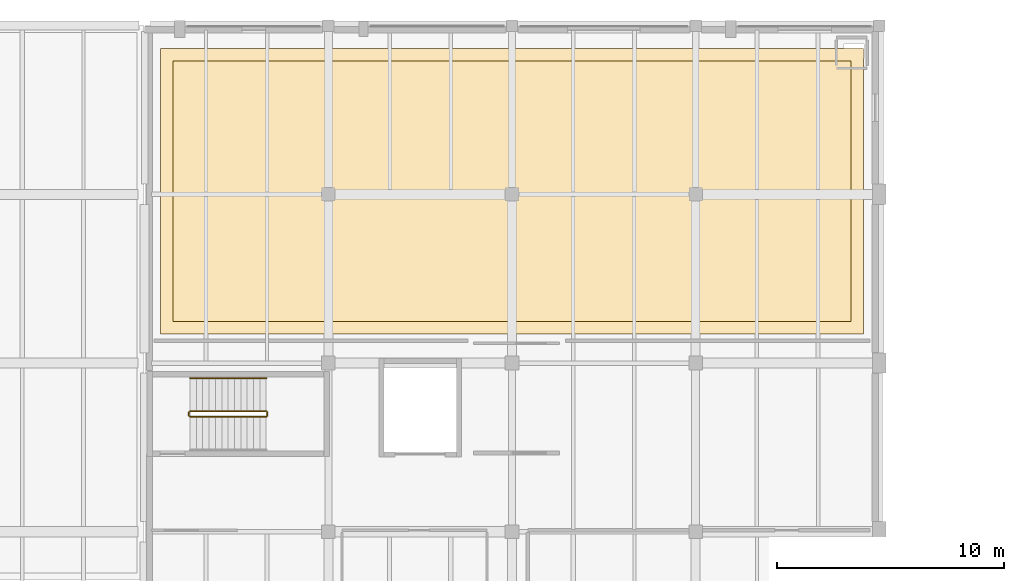
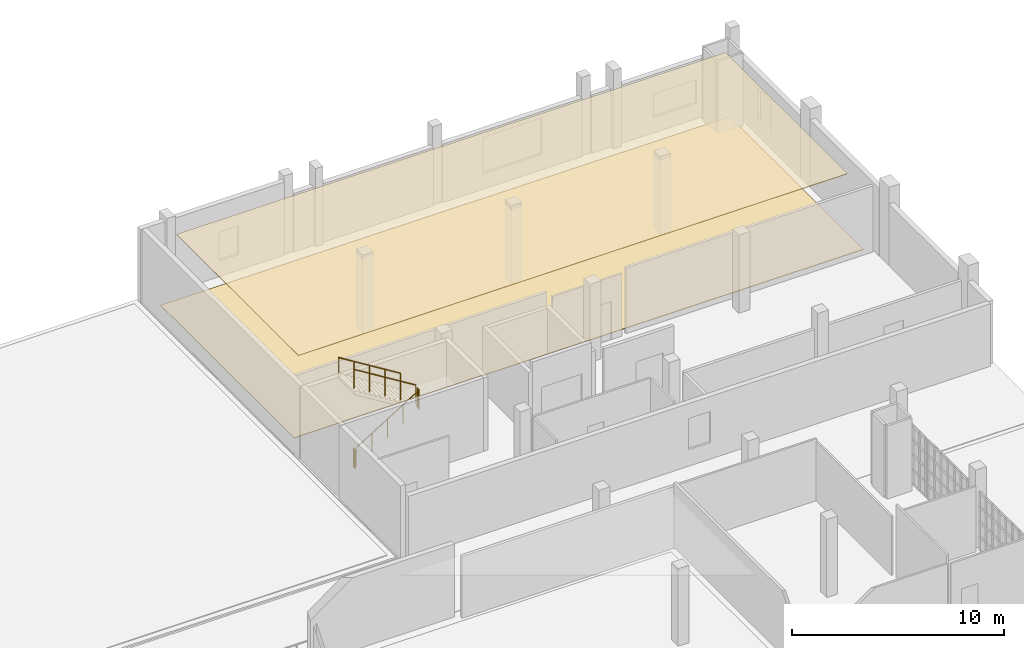
# One storey, part 72 of 73: 5 railings, 2 coverings.
"""IFC4 building model written with IfcOpenShell, lengths in metres."""

from ifc_helpers import new_model, si_unit, direction, frame, origin, origin_2d, place, context, subcontext, project, spatial, polyline, circle, outline, extrude, material, layer, layer_set, type_object, element, save


model = new_model("IFC4")

# Units and contexts
model_context = context("Model", 3, precision=1e-05, world=origin(), true_north=direction((0.0, 1.0)))
body_context = subcontext(model_context, "Body", "Model", "MODEL_VIEW")
ifc_project = project(units=[si_unit("LENGTHUNIT", "METRE"), si_unit("AREAUNIT", "SQUARE_METRE"), si_unit("VOLUMEUNIT", "CUBIC_METRE"), si_unit("PLANEANGLEUNIT", "RADIAN"), si_unit("MASSUNIT", "GRAM", prefix="KILO")], contexts=[model_context])

# Site, building, storey
site_placement = place(None, origin())
site = spatial("IfcSite", under=ifc_project, at=site_placement, CompositionType="ELEMENT")
building_placement = place(site_placement, origin())
building = spatial("IfcBuilding", under=site, at=building_placement, Name="Kaelora Sail Theatre", CompositionType="ELEMENT")
storey_placement = place(building_placement, frame((0.0, 0.0, 10.199951171875)))
storey = spatial("IfcBuildingStorey", under=building, at=storey_placement, Name="L02", CompositionType="ELEMENT", Elevation=10.199951171875)

# Coverings
ifc_material_1 = material(Name="Suspended acoustic mineral-fibre ceiling", Category="gypsum")
ifc_layer_1 = layer(ifc_material_1, 0.034912109375)
ifc_layer_set_1 = layer_set([ifc_layer_1], Name="Suspended acoustic mineral-fibre ceiling")
covering_type_1 = type_object("IfcCoveringType", Name="ARC-COV-CLG-GYP-35", PredefinedType="CEILING", material=ifc_layer_set_1)
covering_1_placement = place(storey_placement, frame((0.0, 0.0, 4.215087890625)))
element("IfcCovering", 1, at=covering_1_placement, inside=storey, type_object=covering_type_1, Name="Acoustic ceiling L02-REC-STUD", PredefinedType="CEILING", context=body_context, shape_type="SweptSolid", body=[
    extrude(outline(polyline([(99.949951171875, 100.050048828125), (129.85009765625, 100.050048828125), (129.85009765625, 111.550048828125), (99.949951171875, 111.550048828125), (99.949951171875, 100.050048828125)])), origin(), (0.0, 0.0, 1.0), 0.034912109375),
])
ifc_material_2 = material(Name="Sprung West African iroko stage and dance floor", Category="timber")
ifc_layer_2 = layer(ifc_material_2, 0.028076171875)
ifc_layer_set_2 = layer_set([ifc_layer_2], Name="Sprung West African iroko stage and dance floor")
covering_type_2 = type_object("IfcCoveringType", Name="ARC-COV-FLR-OAK-28", PredefinedType="FLOORING", material=ifc_layer_set_2)
covering_2_placement = place(storey_placement, origin())
element("IfcCovering", 2, at=covering_2_placement, inside=storey, type_object=covering_type_2, Name="Architectural flooring L02-REC-STUD", PredefinedType="FLOORING", context=body_context, shape_type="SweptSolid", body=[
    extrude(outline(polyline([(99.39990234375, 99.5), (130.39990234375, 99.5), (130.39990234375, 112.10009765625), (99.39990234375, 112.10009765625), (99.39990234375, 99.5)])), origin(), (0.0, 0.0, 1.0), 0.028076171875),
])

# Railings
ifc_material_3 = material(Name="Painted steel and laminated safety glass guard", Category="steel")
railing_type_1 = type_object("IfcRailingType", Name="ARC-RL-GRD", PredefinedType="GUARDRAIL", material=ifc_material_3)
railing_1_placement = place(storey_placement, frame((100.699951171875, 95.85009765625, 0.173095703125)))
element("IfcRailing", 3, at=railing_1_placement, inside=storey, type_object=railing_type_1, Name="L02 ST-K4 stair guard 1", PredefinedType="GUARDRAIL", context=body_context, shape_type="SweptSolid", body=[
    extrude(circle(Radius=0.02392578125, at=origin_2d()), frame((0.0, 0.0, 1.076171875), z_axis=(0.850623216509, 0.0, 0.525775754039), x_axis=(0.0, 1.0, 0.0)), (0.0, 0.0, 1.0), 3.9501953125),
    extrude(circle(Radius=0.02099609375, at=origin_2d()), origin(), (0.0, 0.0, 1.0), 1.052001953125),
    extrude(circle(Radius=0.02099609375, at=origin_2d()), frame((0.840087890625, 0.0, 0.519287109375)), (0.0, 0.0, 1.0), 1.052001953125),
    extrude(circle(Radius=0.02099609375, at=origin_2d()), frame((1.68017578125, 0.0, 1.03857421875)), (0.0, 0.0, 1.0), 1.052001953125),
    extrude(circle(Radius=0.02099609375, at=origin_2d()), frame((2.52001953125, 0.0, 1.5576171875)), (0.0, 0.0, 1.0), 1.052001953125),
    extrude(circle(Radius=0.02099609375, at=origin_2d()), frame((3.360107421875, 0.0, 2.076904296875)), (0.0, 0.0, 1.0), 1.052001953125),
])
railing_2_placement = place(storey_placement, frame((104.110107421875, 95.89990234375, 2.25)))
element("IfcRailing", 4, at=railing_2_placement, inside=storey, type_object=railing_type_1, Name="L02 ST-K4 stair guard 2", PredefinedType="GUARDRAIL", context=body_context, shape_type="SweptSolid", body=[
    extrude(circle(Radius=0.02392578125, at=origin_2d()), frame((0.0, 0.0, 1.076171875), z_axis=(0.0, 1.0, 0.0), x_axis=(-1.0, 0.0, 0.0)), (0.0, 0.0, 1.0), 0.150146484375),
    extrude(circle(Radius=0.02099609375, at=origin_2d()), origin(), (0.0, 0.0, 1.0), 1.052001953125),
    extrude(circle(Radius=0.02099609375, at=origin_2d()), frame((0.0, 0.150146484375, 0.0)), (0.0, 0.0, 1.0), 1.052001953125),
])
railing_3_placement = place(storey_placement, frame((104.06005859375, 96.10009765625, 2.423095703125)))
element("IfcRailing", 5, at=railing_3_placement, inside=storey, type_object=railing_type_1, Name="L02 ST-K4 stair guard 3", PredefinedType="GUARDRAIL", context=body_context, shape_type="SweptSolid", body=[
    extrude(circle(Radius=0.02392578125, at=origin_2d()), frame((0.0, 0.0, 1.076171875), z_axis=(-0.850623216509, 0.0, 0.525775754039), x_axis=(0.0, -1.0, 0.0)), (0.0, 0.0, 1.0), 3.9501953125),
    extrude(circle(Radius=0.02099609375, at=origin_2d()), origin(), (0.0, 0.0, 1.0), 1.052001953125),
    extrude(circle(Radius=0.02099609375, at=origin_2d()), frame((-0.840087890625, 0.0, 0.519287109375)), (0.0, 0.0, 1.0), 1.052001953125),
    extrude(circle(Radius=0.02099609375, at=origin_2d()), frame((-1.68017578125, 0.0, 1.03857421875)), (0.0, 0.0, 1.0), 1.052001953125),
    extrude(circle(Radius=0.02099609375, at=origin_2d()), frame((-2.52001953125, 0.0, 1.5576171875)), (0.0, 0.0, 1.0), 1.052001953125),
    extrude(circle(Radius=0.02099609375, at=origin_2d()), frame((-3.360107421875, 0.0, 2.076904296875)), (0.0, 0.0, 1.0), 1.052001953125),
])
railing_4_placement = place(storey_placement, frame((100.64990234375, 95.89990234375, 0.0)))
element("IfcRailing", 6, at=railing_4_placement, inside=storey, type_object=railing_type_1, Name="L02 ST-K4 stair guard 4", PredefinedType="GUARDRAIL", context=body_context, shape_type="SweptSolid", body=[
    extrude(circle(Radius=0.02392578125, at=origin_2d()), frame((0.0, 0.0, 1.076171875), z_axis=(0.0, 1.0, 0.0), x_axis=(-1.0, 0.0, 0.0)), (0.0, 0.0, 1.0), 0.150146484375),
    extrude(circle(Radius=0.02099609375, at=origin_2d()), origin(), (0.0, 0.0, 1.0), 1.052001953125),
    extrude(circle(Radius=0.02099609375, at=origin_2d()), frame((0.0, 0.150146484375, 0.0)), (0.0, 0.0, 1.0), 1.052001953125),
])
ifc_material_4 = material(Name="Brushed stainless steel 316L tubular handrail", Category="steel")
railing_type_2 = type_object("IfcRailingType", Name="ARC-RL-HND", PredefinedType="HANDRAIL", material=ifc_material_4)
railing_5_placement = place(storey_placement, frame((104.06005859375, 97.550048828125, 2.423095703125)))
element("IfcRailing", 7, at=railing_5_placement, inside=storey, type_object=railing_type_2, Name="L02 ST-K4 stair handrail 2", PredefinedType="HANDRAIL", context=body_context, shape_type="SweptSolid", body=[
    extrude(circle(Radius=0.02392578125, at=origin_2d()), frame((0.0, 0.0, 0.8759765625), z_axis=(-0.850623216509, 0.0, 0.525775754039), x_axis=(0.0, -1.0, 0.0)), (0.0, 0.0, 1.0), 3.9501953125),
    extrude(circle(Radius=0.02099609375, at=origin_2d()), origin(), (0.0, 0.0, 1.0), 0.851806640625),
    extrude(circle(Radius=0.02099609375, at=origin_2d()), frame((-0.840087890625, 0.0, 0.519287109375)), (0.0, 0.0, 1.0), 0.851806640625),
    extrude(circle(Radius=0.02099609375, at=origin_2d()), frame((-1.68017578125, 0.0, 1.03857421875)), (0.0, 0.0, 1.0), 0.851806640625),
    extrude(circle(Radius=0.02099609375, at=origin_2d()), frame((-2.52001953125, 0.0, 1.5576171875)), (0.0, 0.0, 1.0), 0.851806640625),
    extrude(circle(Radius=0.02099609375, at=origin_2d()), frame((-3.360107421875, 0.0, 2.076904296875)), (0.0, 0.0, 1.0), 0.851806640625),
])

save(model, "model.ifc")
